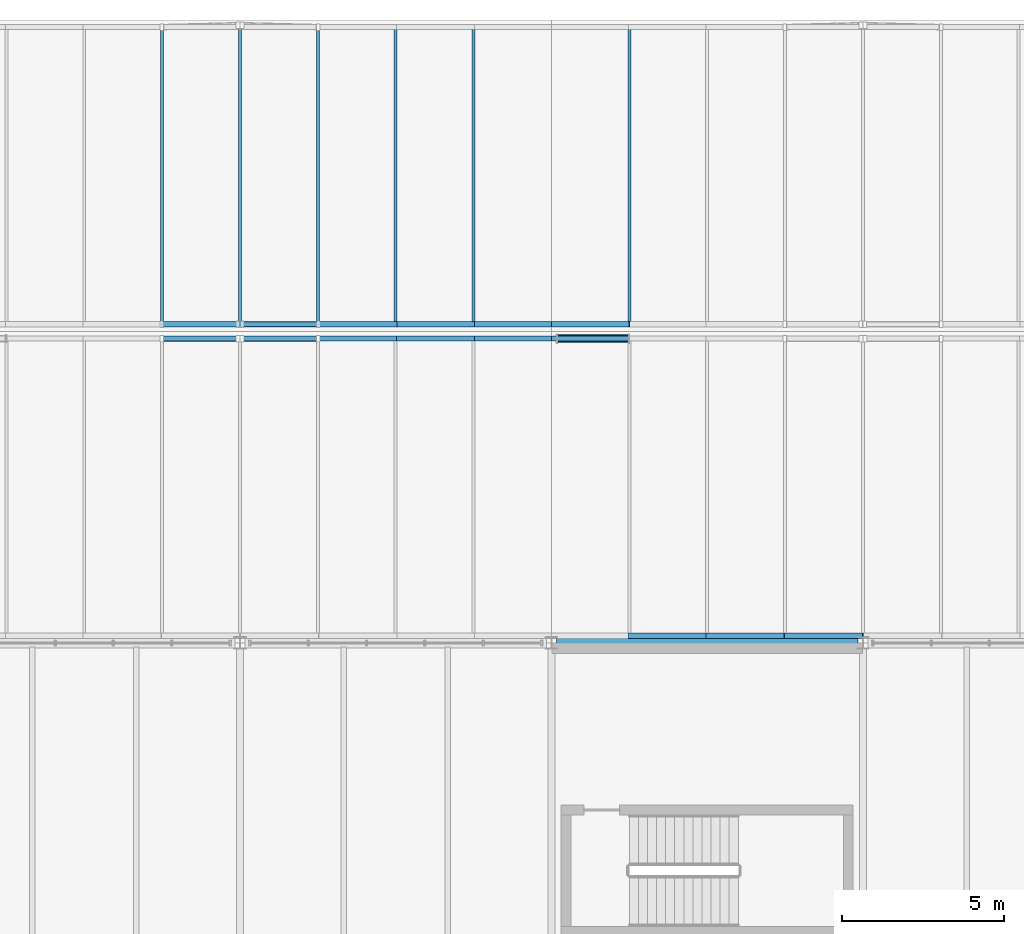
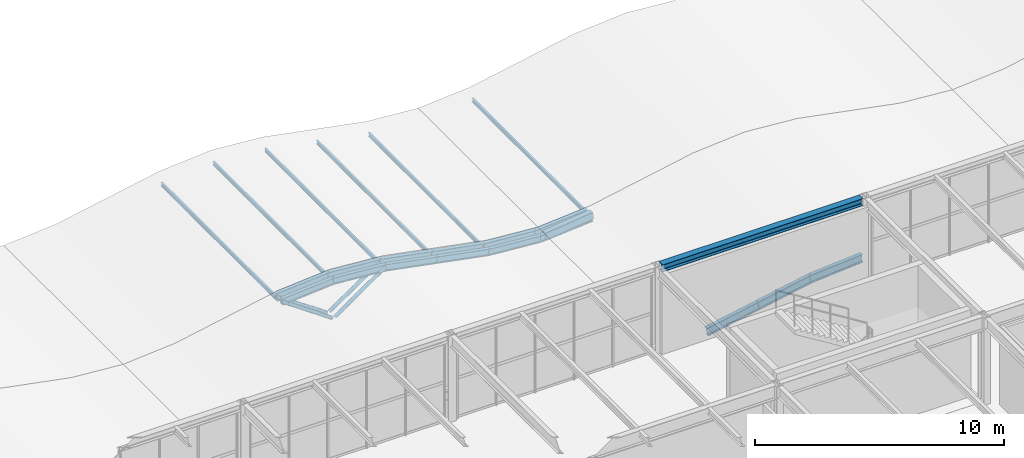
# One storey, part 108 of 170: 16 beams, 11 members.
"""IFC4 building model written with IfcOpenShell, lengths in metres."""

from ifc_helpers import new_model, si_unit, direction, frame, origin, origin_2d, place, context, subcontext, project, spatial, hollow_rectangle, hollow_circle, i_section, extrude, material, material_profile, profile_set, type_object, element, save


model = new_model("IFC4")

# Units and contexts
model_context = context("Model", 3, precision=1e-05, world=origin(), true_north=direction((0.0, 1.0)))
body_context = subcontext(model_context, "Body", "Model", "MODEL_VIEW")
ifc_project = project(units=[si_unit("LENGTHUNIT", "METRE"), si_unit("AREAUNIT", "SQUARE_METRE"), si_unit("VOLUMEUNIT", "CUBIC_METRE"), si_unit("PLANEANGLEUNIT", "RADIAN"), si_unit("MASSUNIT", "GRAM", prefix="KILO")], contexts=[model_context])

# Site, building, storey
site_placement = place(None, origin())
site = spatial("IfcSite", under=ifc_project, at=site_placement, CompositionType="ELEMENT")
building_placement = place(site_placement, origin())
building = spatial("IfcBuilding", under=site, at=building_placement, Name="Coralgate Yard Interchange", CompositionType="ELEMENT")
storey_placement = place(building_placement, frame((0.0, 0.0, 6.0)))
storey = spatial("IfcBuildingStorey", under=building, at=storey_placement, Name="L01", CompositionType="ELEMENT", Elevation=6.0)

# Beams
ifc_material_1 = material(Name="Structural steel S355J2", Category="steel")
ifc_material_profile_1 = material_profile(ifc_material_1, i_section(OverallWidth=0.300048828125, OverallDepth=0.35009765625, WebThickness=0.010009765625, FlangeThickness=0.017578125, FilletRadius=0.027099609375, at=origin_2d()), Name="HEA 360")
ifc_profile_set_1 = profile_set([ifc_material_profile_1], Name="Structural steel S355J2")
beam_type_1 = type_object("IfcBeamType", Name="BM-SP-1", PredefinedType="SPANDREL", material=ifc_profile_set_1)
beam_1_placement = place(storey_placement, frame((76.956298828125, 96.0, 4.074951171875), z_axis=(1.0, 0.0, 0.0), x_axis=(0.0, 1.0, 0.0)))
element("IfcBeam", 1, at=beam_1_placement, inside=storey, type_object=beam_type_1, Name="L01 primary grid beam Y10 X8-9", PredefinedType="SPANDREL", context=body_context, shape_type="SweptSolid", body=[
    extrude(i_section(OverallWidth=0.300048828125, OverallDepth=0.35009765625, WebThickness=0.010009765625, FlangeThickness=0.017578125, FilletRadius=0.027099609375, at=origin_2d()), origin(), (0.0, 0.0, 1.0), 9.287353515625),
])
ifc_material_2 = material(Name="Off-white architectural structural steel S355J2", Category="steel")
ifc_material_profile_2 = material_profile(ifc_material_2, i_section(OverallWidth=0.179931640625, OverallDepth=0.39990234375, WebThickness=0.008544921875, FlangeThickness=0.013427734375, FilletRadius=0.02099609375, at=origin_2d()), Name="IPE 400")
ifc_profile_set_2 = profile_set([ifc_material_profile_2], Name="Off-white architectural structural steel S355J2")
beam_type_2 = type_object("IfcBeamType", Name="BM-WR-1", PredefinedType="BEAM", material=ifc_profile_set_2)
beam_2_placement = place(storey_placement, frame((79.199951171875, 96.219970703125, -0.009521484375), z_axis=(0.982165006537, 0.0, 0.188021009287), x_axis=(0.0, 1.0, 0.0)))
element("IfcBeam", 2, at=beam_2_placement, inside=storey, type_object=beam_type_2, Name="Wave-shell steel arch rib R1-W3-S2", PredefinedType="BEAM", context=body_context, shape_type="SweptSolid", body=[
    extrude(i_section(OverallWidth=0.179931640625, OverallDepth=0.39990234375, WebThickness=0.008544921875, FlangeThickness=0.013427734375, FilletRadius=0.02099609375, at=origin_2d()), origin(), (0.0, 0.0, 1.0), 2.44384765625),
])
beam_3_placement = place(storey_placement, frame((81.60009765625, 96.219970703125, 0.449951171875), z_axis=(0.98214301705, 0.0, 0.18813583938), x_axis=(0.0, 1.0, 0.0)))
element("IfcBeam", 3, at=beam_3_placement, inside=storey, type_object=beam_type_2, Name="Wave-shell steel arch rib R1-W3-S3", PredefinedType="BEAM", context=body_context, shape_type="SweptSolid", body=[
    extrude(i_section(OverallWidth=0.179931640625, OverallDepth=0.39990234375, WebThickness=0.008544921875, FlangeThickness=0.013427734375, FilletRadius=0.02099609375, at=origin_2d()), origin(), (0.0, 0.0, 1.0), 2.443603515625),
])
for number, where, z_axis, x_axis, name in (
    (4, (84.0, 96.219970703125, 0.90966796875), (0.996866661985, 0.0, 0.079100304817), (0.0, 1.0, 0.0), "Wave-shell steel arch rib R1-W3-S4"),
    (5, (64.800048828125, 105.820068359375, 0.90966796875), (0.996866661985, 0.0, 0.079100304817), (0.0, 1.0, 0.0), "Wave-shell steel arch rib R2-W2-S4"),
):
    element("IfcBeam", number, at=place(storey_placement, frame(where, z_axis=z_axis, x_axis=x_axis)), inside=storey, type_object=beam_type_2, Name=name, PredefinedType="BEAM", context=body_context, shape_type="SweptSolid", body=[
        extrude(i_section(OverallWidth=0.179931640625, OverallDepth=0.39990234375, WebThickness=0.008544921875, FlangeThickness=0.013427734375, FilletRadius=0.02099609375, at=origin_2d()), origin(), (0.0, 0.0, 1.0), 2.407470703125),
    ])
beam_4_placement = place(storey_placement, frame((67.199951171875, 105.820068359375, 1.10009765625), z_axis=(0.996867296401, 0.0, -0.079092309144), x_axis=(0.0, 1.0, 0.0)))
element("IfcBeam", 6, at=beam_4_placement, inside=storey, type_object=beam_type_2, Name="Wave-shell steel arch rib R2-W2-S5", PredefinedType="BEAM", context=body_context, shape_type="SweptSolid", body=[
    extrude(i_section(OverallWidth=0.179931640625, OverallDepth=0.39990234375, WebThickness=0.008544921875, FlangeThickness=0.013427734375, FilletRadius=0.02099609375, at=origin_2d()), origin(), (0.0, 0.0, 1.0), 2.40771484375),
])
for number, where, z_axis, x_axis, name in (
    (7, (69.60009765625, 105.820068359375, 0.90966796875), (0.98214301705, 0.0, -0.18813583938), (0.0, 1.0, 0.0), "Wave-shell steel arch rib R2-W2-S6"),
    (8, (72.0, 105.820068359375, 0.449951171875), (0.98216147419, 0.0, -0.188039460267), (0.0, 1.0, 0.0), "Wave-shell steel arch rib R2-W2-S7"),
):
    element("IfcBeam", number, at=place(storey_placement, frame(where, z_axis=z_axis, x_axis=x_axis)), inside=storey, type_object=beam_type_2, Name=name, PredefinedType="BEAM", context=body_context, shape_type="SweptSolid", body=[
        extrude(i_section(OverallWidth=0.179931640625, OverallDepth=0.39990234375, WebThickness=0.008544921875, FlangeThickness=0.013427734375, FilletRadius=0.02099609375, at=origin_2d()), origin(), (0.0, 0.0, 1.0), 2.443603515625),
    ])
beam_5_placement = place(storey_placement, frame((74.39990234375, 105.820068359375, -0.009521484375), z_axis=(0.996867296401, 0.0, -0.079092309144), x_axis=(0.0, 1.0, 0.0)))
element("IfcBeam", 9, at=beam_5_placement, inside=storey, type_object=beam_type_2, Name="Wave-shell steel arch rib R2-W2-S8", PredefinedType="BEAM", context=body_context, shape_type="SweptSolid", body=[
    extrude(i_section(OverallWidth=0.179931640625, OverallDepth=0.39990234375, WebThickness=0.008544921875, FlangeThickness=0.013427734375, FilletRadius=0.02099609375, at=origin_2d()), origin(), (0.0, 0.0, 1.0), 2.40771484375),
])
beam_6_placement = place(storey_placement, frame((76.800048828125, 105.820068359375, -0.199951171875), z_axis=(0.996866661985, 0.0, 0.079100304817), x_axis=(0.0, 1.0, 0.0)))
element("IfcBeam", 10, at=beam_6_placement, inside=storey, type_object=beam_type_2, Name="Wave-shell steel arch rib R2-W3-S1", PredefinedType="BEAM", context=body_context, shape_type="SweptSolid", body=[
    extrude(i_section(OverallWidth=0.179931640625, OverallDepth=0.39990234375, WebThickness=0.008544921875, FlangeThickness=0.013427734375, FilletRadius=0.02099609375, at=origin_2d()), origin(), (0.0, 0.0, 1.0), 2.407470703125),
])
ifc_material_profile_3 = material_profile(ifc_material_2, i_section(OverallWidth=0.159912109375, OverallDepth=0.330078125, WebThickness=0.007568359375, FlangeThickness=0.011474609375, FilletRadius=0.01806640625, at=origin_2d()), Name="IPE 330")
ifc_profile_set_3 = profile_set([ifc_material_profile_3], Name="Off-white architectural structural steel S355J2")
beam_type_3 = type_object("IfcBeamType", Name="BM-WR-2", PredefinedType="BEAM", material=ifc_profile_set_3)
beam_7_placement = place(storey_placement, frame((64.800048828125, 105.3798828125, 0.944580078125), z_axis=(0.996866661985, 0.0, 0.079100304817), x_axis=(0.0, 1.0, 0.0)))
element("IfcBeam", 11, at=beam_7_placement, inside=storey, type_object=beam_type_3, Name="Wave-shell steel arch rib R1-W2-N4", PredefinedType="BEAM", context=body_context, shape_type="SweptSolid", body=[
    extrude(i_section(OverallWidth=0.159912109375, OverallDepth=0.330078125, WebThickness=0.007568359375, FlangeThickness=0.011474609375, FilletRadius=0.01806640625, at=origin_2d()), origin(), (0.0, 0.0, 1.0), 2.407470703125),
])
beam_8_placement = place(storey_placement, frame((67.199951171875, 105.3798828125, 1.135009765625), z_axis=(0.996867296401, 0.0, -0.079092309144), x_axis=(0.0, 1.0, 0.0)))
element("IfcBeam", 12, at=beam_8_placement, inside=storey, type_object=beam_type_3, Name="Wave-shell steel arch rib R1-W2-N5", PredefinedType="BEAM", context=body_context, shape_type="SweptSolid", body=[
    extrude(i_section(OverallWidth=0.159912109375, OverallDepth=0.330078125, WebThickness=0.007568359375, FlangeThickness=0.011474609375, FilletRadius=0.01806640625, at=origin_2d()), origin(), (0.0, 0.0, 1.0), 2.40771484375),
])
for number, where, z_axis, x_axis, name in (
    (13, (69.60009765625, 105.3798828125, 0.944580078125), (0.98216147419, 0.0, -0.188039460267), (0.0, 1.0, 0.0), "Wave-shell steel arch rib R1-W2-N6"),
    (14, (72.0, 105.3798828125, 0.485107421875), (0.98214301705, 0.0, -0.18813583938), (0.0, 1.0, 0.0), "Wave-shell steel arch rib R1-W2-N7"),
):
    element("IfcBeam", number, at=place(storey_placement, frame(where, z_axis=z_axis, x_axis=x_axis)), inside=storey, type_object=beam_type_3, Name=name, PredefinedType="BEAM", context=body_context, shape_type="SweptSolid", body=[
        extrude(i_section(OverallWidth=0.159912109375, OverallDepth=0.330078125, WebThickness=0.007568359375, FlangeThickness=0.011474609375, FilletRadius=0.01806640625, at=origin_2d()), origin(), (0.0, 0.0, 1.0), 2.443603515625),
    ])
beam_9_placement = place(storey_placement, frame((74.39990234375, 105.3798828125, 0.025390625), z_axis=(0.996867296401, 0.0, -0.079092309144), x_axis=(0.0, 1.0, 0.0)))
element("IfcBeam", 15, at=beam_9_placement, inside=storey, type_object=beam_type_3, Name="Wave-shell steel arch rib R1-W2-N8", PredefinedType="BEAM", context=body_context, shape_type="SweptSolid", body=[
    extrude(i_section(OverallWidth=0.159912109375, OverallDepth=0.330078125, WebThickness=0.007568359375, FlangeThickness=0.011474609375, FilletRadius=0.01806640625, at=origin_2d()), origin(), (0.0, 0.0, 1.0), 2.40771484375),
])
beam_10_placement = place(storey_placement, frame((76.800048828125, 105.3798828125, -0.1650390625), z_axis=(0.996866661985, 0.0, 0.079100304817), x_axis=(0.0, 1.0, 0.0)))
element("IfcBeam", 16, at=beam_10_placement, inside=storey, type_object=beam_type_3, Name="Wave-shell steel arch rib R1-W3-N1", PredefinedType="BEAM", context=body_context, shape_type="SweptSolid", body=[
    extrude(i_section(OverallWidth=0.159912109375, OverallDepth=0.330078125, WebThickness=0.007568359375, FlangeThickness=0.011474609375, FilletRadius=0.01806640625, at=origin_2d()), origin(), (0.0, 0.0, 1.0), 2.407470703125),
])

# Members
ifc_material_3 = material(Name="Weather-coated structural steel S355J2", Category="steel")
ifc_material_profile_4 = material_profile(ifc_material_3, hollow_rectangle(XDim=0.25, YDim=0.35009765625, WallThickness=0.012451171875, InnerFilletRadius=0.012451171875, OuterFilletRadius=0.02490234375, at=origin_2d()), Name="RHS 350x250x12.5")
ifc_profile_set_4 = profile_set([ifc_material_profile_4], Name="Weather-coated structural steel S355J2")
member_type_1 = type_object("IfcMemberType", Name="MB-GC-3", PredefinedType="CHORD", material=ifc_profile_set_4)
member_1_placement = place(storey_placement, frame((76.97998046875, 105.3798828125, -0.080078125), z_axis=(0.993088023617, 0.0, 0.117371961508), x_axis=(0.0, 1.0, 0.0)))
element("IfcMember", 17, at=member_1_placement, inside=storey, type_object=member_type_1, Name="Wave-canopy longitudinal tie member 3", PredefinedType="CHORD", context=body_context, shape_type="SweptSolid", body=[
    extrude(hollow_rectangle(XDim=0.25, YDim=0.35009765625, WallThickness=0.012451171875, InnerFilletRadius=0.012451171875, OuterFilletRadius=0.02490234375, at=origin_2d()), origin(), (0.0, 0.0, 1.0), 2.21533203125),
])
ifc_material_4 = material(Name="Yellow-ochre weather-coated structural steel S355J2", Category="steel")
ifc_material_profile_5 = material_profile(ifc_material_4, hollow_circle(Radius=0.084228515625, WallThickness=0.008056640625, at=origin_2d()), Name="CHS 168.3x8")
ifc_profile_set_5 = profile_set([ifc_material_profile_5], Name="Yellow-ochre weather-coated structural steel S355J2")
member_type_2 = type_object("IfcMemberType", Name="MB-HG-2", PredefinedType="STRUT", material=ifc_profile_set_5)
member_2_placement = place(storey_placement, frame((67.139892578125, 105.3798828125, -0.679931640625), z_axis=(-0.821432424161, 0.0, 0.570305858761), x_axis=(0.0, -1.0, 0.0)))
element("IfcMember", 18, at=member_2_placement, inside=storey, type_object=member_type_2, Name="Wave-shell inclined V-strut WVBR-R1-W2-N-L", PredefinedType="STRUT", context=body_context, shape_type="SweptSolid", body=[
    extrude(hollow_circle(Radius=0.084228515625, WallThickness=0.008056640625, at=origin_2d()), origin(), (0.0, 0.0, 1.0), 2.848388671875),
])
member_3_placement = place(storey_placement, frame((67.260009765625, 105.3798828125, -0.679931640625), z_axis=(0.821460297875, 0.0, 0.570265709135), x_axis=(0.0, 1.0, 0.0)))
element("IfcMember", 19, at=member_3_placement, inside=storey, type_object=member_type_2, Name="Wave-shell inclined V-strut WVBR-R1-W2-N-R", PredefinedType="STRUT", context=body_context, shape_type="SweptSolid", body=[
    extrude(hollow_circle(Radius=0.084228515625, WallThickness=0.008056640625, at=origin_2d()), origin(), (0.0, 0.0, 1.0), 2.8486328125),
])
member_4_placement = place(storey_placement, frame((67.139892578125, 105.820068359375, -0.679931640625), z_axis=(-0.827172031576, 0.0, 0.561948778964), x_axis=(0.0, -1.0, 0.0)))
element("IfcMember", 20, at=member_4_placement, inside=storey, type_object=member_type_2, Name="Wave-shell inclined V-strut WVBR-R2-W2-S-L", PredefinedType="STRUT", context=body_context, shape_type="SweptSolid", body=[
    extrude(hollow_circle(Radius=0.084228515625, WallThickness=0.008056640625, at=origin_2d()), origin(), (0.0, 0.0, 1.0), 2.82861328125),
])
member_5_placement = place(storey_placement, frame((67.260009765625, 105.820068359375, -0.679931640625), z_axis=(0.827199283426, 0.0, 0.561908662951), x_axis=(0.0, 1.0, 0.0)))
element("IfcMember", 21, at=member_5_placement, inside=storey, type_object=member_type_2, Name="Wave-shell inclined V-strut WVBR-R2-W2-S-R", PredefinedType="STRUT", context=body_context, shape_type="SweptSolid", body=[
    extrude(hollow_circle(Radius=0.084228515625, WallThickness=0.008056640625, at=origin_2d()), origin(), (0.0, 0.0, 1.0), 2.828857421875),
])
ifc_material_profile_6 = material_profile(ifc_material_2, i_section(OverallWidth=0.091064453125, OverallDepth=0.179931640625, WebThickness=0.00537109375, FlangeThickness=0.008056640625, FilletRadius=0.009033203125, at=origin_2d()), Name="IPE 180")
ifc_profile_set_6 = profile_set([ifc_material_profile_6], Name="Off-white architectural structural steel S355J2")
member_type_3 = type_object("IfcMemberType", Name="MB-PR-2", PredefinedType="PURLIN", material=ifc_profile_set_6)
for number, where, z_axis, x_axis, name in (
    (22, (64.800048828125, 105.800048828125, 0.86962890625), (0.0, 1.0, 0.0), (-1.0, 0.0, 0.0), "Wave-shell purlin R2-W2-4"),
    (23, (67.199951171875, 105.800048828125, 1.06005859375), (0.0, 1.0, 0.0), (-1.0, 0.0, 0.0), "Wave-shell purlin R2-W2-5"),
    (24, (69.60009765625, 105.800048828125, 0.86962890625), (0.0, 1.0, 0.0), (-1.0, 0.0, 0.0), "Wave-shell purlin R2-W2-6"),
    (25, (72.0, 105.800048828125, 0.409912109375), (0.0, 1.0, 0.0), (-1.0, 0.0, 0.0), "Wave-shell purlin R2-W2-7"),
    (26, (74.39990234375, 105.800048828125, -0.049560546875), (0.0, 1.0, 0.0), (-1.0, 0.0, 0.0), "Wave-shell purlin R2-W2-8"),
    (27, (79.199951171875, 105.800048828125, -0.049560546875), (0.0, 1.0, 0.0), (-1.0, 0.0, 0.0), "Wave-shell purlin R2-W3-2"),
):
    element("IfcMember", number, at=place(storey_placement, frame(where, z_axis=z_axis, x_axis=x_axis)), inside=storey, type_object=member_type_3, Name=name, PredefinedType="PURLIN", context=body_context, shape_type="SweptSolid", body=[
        extrude(i_section(OverallWidth=0.091064453125, OverallDepth=0.179931640625, WebThickness=0.00537109375, FlangeThickness=0.008056640625, FilletRadius=0.009033203125, at=origin_2d()), origin(), (0.0, 0.0, 1.0), 9.199951171875),
    ])

save(model, "model.ifc")
